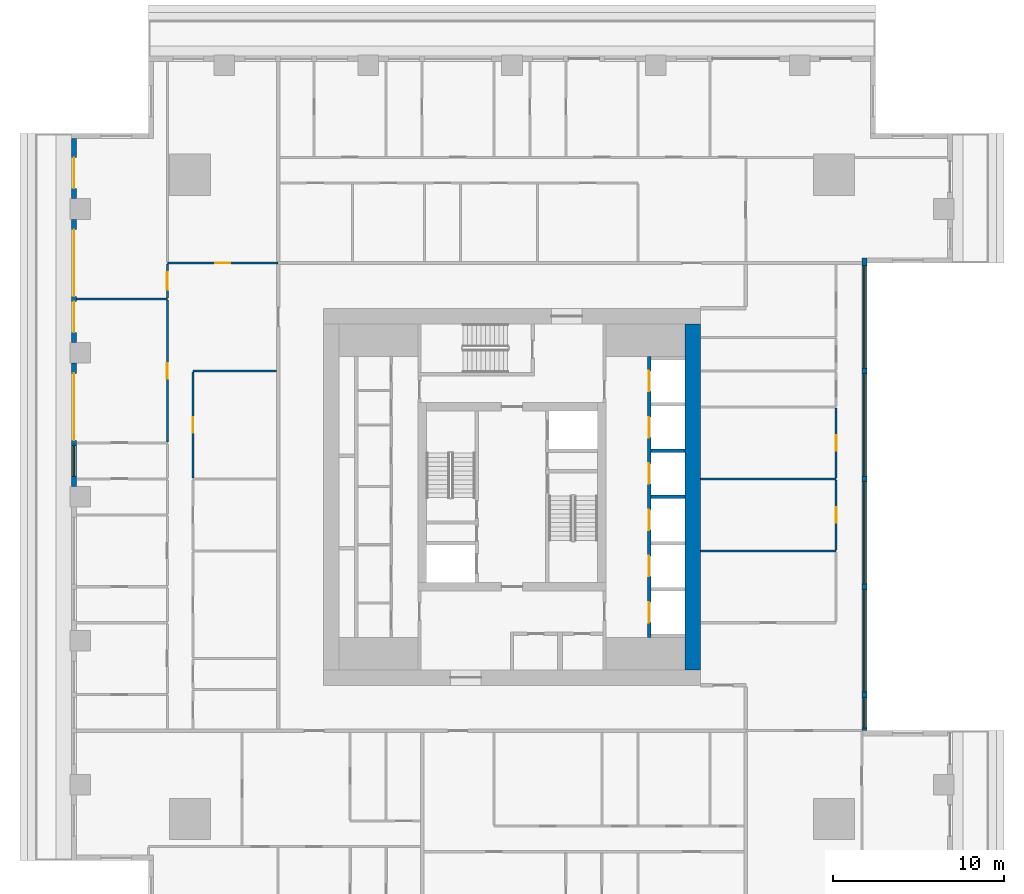
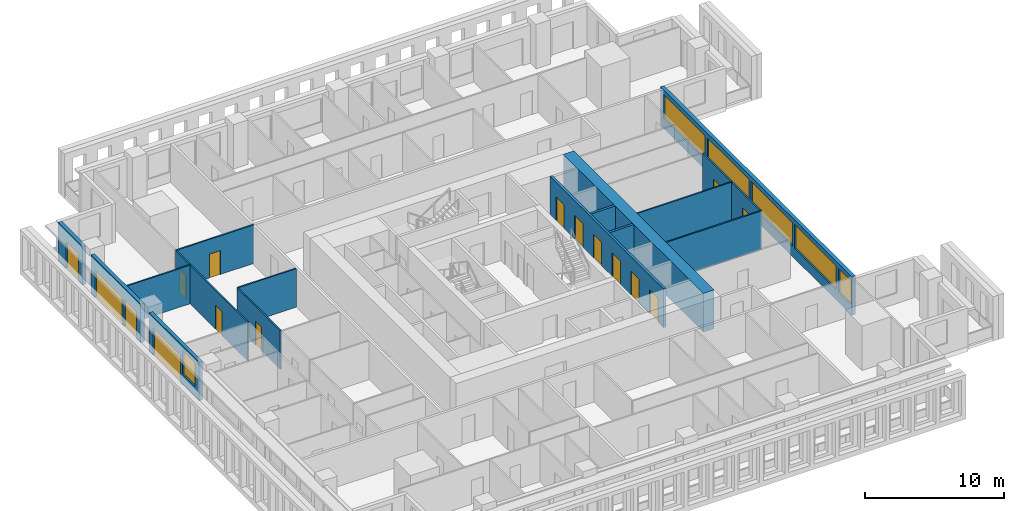
# One storey, part 6 of 15: 18 walls, 16 doors, 6 windows, 22 openings.
"""IFC4 building model written with IfcOpenShell, lengths in metres."""

from ifc_helpers import new_model, si_unit, direction, frame, frame_2d, origin, place, context, subcontext, project, spatial, rectangle, extrude, material, layer, layer_set, type_object, element, fill, save


model = new_model("IFC4")

# Units and contexts
model_context = context("Model", 3, precision=1e-05, world=origin(), true_north=direction((0.0, 1.0)))
body_context = subcontext(model_context, "Body", "Model", "MODEL_VIEW")
ifc_project = project(units=[si_unit("LENGTHUNIT", "METRE"), si_unit("AREAUNIT", "SQUARE_METRE"), si_unit("VOLUMEUNIT", "CUBIC_METRE"), si_unit("PLANEANGLEUNIT", "RADIAN"), si_unit("MASSUNIT", "GRAM", prefix="KILO")], contexts=[model_context])

# Site, building, storey
site_placement = place(None, origin())
site = spatial("IfcSite", under=ifc_project, at=site_placement, CompositionType="ELEMENT")
building_placement = place(site_placement, origin())
building = spatial("IfcBuilding", under=site, at=building_placement, Name="Khepri Terraces", CompositionType="ELEMENT")
storey_placement = place(building_placement, frame((0.0, 0.0, 231.300048828125)))
storey = spatial("IfcBuildingStorey", under=building, at=storey_placement, Name="L55", CompositionType="ELEMENT", Elevation=231.300048828125)

# Wall, openings, doors
ifc_material_1 = material(Name="Concrete C50/60", Category="concrete")
ifc_layer_1 = layer(ifc_material_1, 0.199951171875, Name="Concrete C50/60", Category="concrete")
ifc_layer_set_1 = layer_set([ifc_layer_1], Name="Concrete C50/60")
wall_type_1 = type_object("IfcWallType", Name="Core wall 200 C50/60", PredefinedType="SHEAR", material=ifc_layer_set_1)
wall_1_placement = place(storey_placement, frame((8.0, -8.199951171875, 0.0), z_axis=(0.0, 0.0, 1.0), x_axis=(0.0, 1.0, 0.0)))
wall_1 = element("IfcWall", 1, at=wall_1_placement, inside=storey, type_object=wall_type_1, Name="Core wall SH02 L55", PredefinedType="SHEAR", context=body_context, shape_type="SweptSolid", body=[
    extrude(rectangle(XDim=16.39990234375, YDim=0.199951171875, at=frame_2d((8.199951171875, 0.0))), origin(), (0.0, 0.0, 1.0), 3.39990234375),
])
opening_1_placement = place(wall_1_placement, frame((0.85009765625, 0.0, 0.0)))
opening_1 = element("IfcOpeningElement", 2, at=opening_1_placement, cuts=wall_1, Name="Opening L55-C01", PredefinedType="OPENING", context=body_context, shape_type="SweptSolid", body=[
    extrude(rectangle(XDim=1.199951171875, YDim=2.10009765625, at=frame_2d((0.60009765625, 1.050048828125))), frame((0.0, 0.10986328125, 0.0), z_axis=(0.0, -1.0, 0.0), x_axis=(1.0, 0.0, 0.0)), (0.0, 0.0, 1.0), 0.219970703125),
])
opening_2_placement = place(wall_1_placement, frame((3.550048828125, 0.0, 0.0)))
opening_2 = element("IfcOpeningElement", 3, at=opening_2_placement, cuts=wall_1, Name="Opening L55-C02", PredefinedType="OPENING", context=body_context, shape_type="SweptSolid", body=[
    extrude(rectangle(XDim=1.199951171875, YDim=2.10009765625, at=frame_2d((0.60009765625, 1.050048828125))), frame((0.0, 0.10986328125, 0.0), z_axis=(0.0, -1.0, 0.0), x_axis=(1.0, 0.0, 0.0)), (0.0, 0.0, 1.0), 0.219970703125),
])
opening_3_placement = place(wall_1_placement, frame((6.25, 0.0, 0.0)))
opening_3 = element("IfcOpeningElement", 4, at=opening_3_placement, cuts=wall_1, Name="Opening L55-C03", PredefinedType="OPENING", context=body_context, shape_type="SweptSolid", body=[
    extrude(rectangle(XDim=1.199951171875, YDim=2.10009765625, at=frame_2d((0.60009765625, 1.050048828125))), frame((0.0, 0.10986328125, 0.0), z_axis=(0.0, -1.0, 0.0), x_axis=(1.0, 0.0, 0.0)), (0.0, 0.0, 1.0), 0.219970703125),
])
opening_4_placement = place(wall_1_placement, frame((8.949951171875, 0.0, 0.0)))
opening_4 = element("IfcOpeningElement", 5, at=opening_4_placement, cuts=wall_1, Name="Opening L55-C04", PredefinedType="OPENING", context=body_context, shape_type="SweptSolid", body=[
    extrude(rectangle(XDim=1.199951171875, YDim=2.10009765625, at=frame_2d((0.60009765625, 1.050048828125))), frame((0.0, 0.10986328125, 0.0), z_axis=(0.0, -1.0, 0.0), x_axis=(1.0, 0.0, 0.0)), (0.0, 0.0, 1.0), 0.219970703125),
])
opening_5_placement = place(wall_1_placement, frame((11.64990234375, 0.0, 0.0)))
opening_5 = element("IfcOpeningElement", 6, at=opening_5_placement, cuts=wall_1, Name="Opening L55-C05", PredefinedType="OPENING", context=body_context, shape_type="SweptSolid", body=[
    extrude(rectangle(XDim=1.199951171875, YDim=2.10009765625, at=frame_2d((0.60009765625, 1.050048828125))), frame((0.0, 0.10986328125, 0.0), z_axis=(0.0, -1.0, 0.0), x_axis=(1.0, 0.0, 0.0)), (0.0, 0.0, 1.0), 0.219970703125),
])
opening_6_placement = place(wall_1_placement, frame((14.35009765625, 0.0, 0.0)))
opening_6 = element("IfcOpeningElement", 7, at=opening_6_placement, cuts=wall_1, Name="Opening L55-C06", PredefinedType="OPENING", context=body_context, shape_type="SweptSolid", body=[
    extrude(rectangle(XDim=1.199951171875, YDim=2.10009765625, at=frame_2d((0.60009765625, 1.050048828125))), frame((0.0, 0.10986328125, 0.0), z_axis=(0.0, -1.0, 0.0), x_axis=(1.0, 0.0, 0.0)), (0.0, 0.0, 1.0), 0.219970703125),
])
ifc_material_2 = material(Name="Stainless steel 304", Category="steel")
door_type_1 = type_object("IfcDoorType", Name="DR-CORE-LANDING-1200", OperationType="NOTDEFINED", PredefinedType="DOOR", material=ifc_material_2)
door_1_placement = place(opening_1_placement, origin())
door_1 = element("IfcDoor", 8, at=door_1_placement, inside=storey, type_object=door_type_1, Name="Lift landing door L55-C01", OperationType="SLIDING_TO_LEFT", OverallHeight=2.10009765625, OverallWidth=1.199951171875, PredefinedType="DOOR", context=body_context, shape_type="SweptSolid", body=[
    extrude(rectangle(XDim=1.199951171875, YDim=2.10009765625, at=frame_2d((0.60009765625, 1.050048828125))), frame((0.0, 0.02490234375, 0.0), z_axis=(0.0, -1.0, 0.0), x_axis=(1.0, 0.0, 0.0)), (0.0, 0.0, 1.0), 0.050048828125),
])
fill(opening_1, door_1)
door_2_placement = place(opening_2_placement, origin())
door_2 = element("IfcDoor", 9, at=door_2_placement, inside=storey, type_object=door_type_1, Name="Lift landing door L55-C02", OperationType="SLIDING_TO_LEFT", OverallHeight=2.10009765625, OverallWidth=1.199951171875, PredefinedType="DOOR", context=body_context, shape_type="SweptSolid", body=[
    extrude(rectangle(XDim=1.199951171875, YDim=2.10009765625, at=frame_2d((0.60009765625, 1.050048828125))), frame((0.0, 0.02490234375, 0.0), z_axis=(0.0, -1.0, 0.0), x_axis=(1.0, 0.0, 0.0)), (0.0, 0.0, 1.0), 0.050048828125),
])
fill(opening_2, door_2)
door_3_placement = place(opening_3_placement, origin())
door_3 = element("IfcDoor", 10, at=door_3_placement, inside=storey, type_object=door_type_1, Name="Lift landing door L55-C03", OperationType="SLIDING_TO_LEFT", OverallHeight=2.10009765625, OverallWidth=1.199951171875, PredefinedType="DOOR", context=body_context, shape_type="SweptSolid", body=[
    extrude(rectangle(XDim=1.199951171875, YDim=2.10009765625, at=frame_2d((0.60009765625, 1.050048828125))), frame((0.0, 0.02490234375, 0.0), z_axis=(0.0, -1.0, 0.0), x_axis=(1.0, 0.0, 0.0)), (0.0, 0.0, 1.0), 0.050048828125),
])
fill(opening_3, door_3)
door_4_placement = place(opening_4_placement, origin())
door_4 = element("IfcDoor", 11, at=door_4_placement, inside=storey, type_object=door_type_1, Name="Lift landing door L55-C04", OperationType="SLIDING_TO_LEFT", OverallHeight=2.10009765625, OverallWidth=1.199951171875, PredefinedType="DOOR", context=body_context, shape_type="SweptSolid", body=[
    extrude(rectangle(XDim=1.199951171875, YDim=2.10009765625, at=frame_2d((0.60009765625, 1.050048828125))), frame((0.0, 0.02490234375, 0.0), z_axis=(0.0, -1.0, 0.0), x_axis=(1.0, 0.0, 0.0)), (0.0, 0.0, 1.0), 0.050048828125),
])
fill(opening_4, door_4)
door_5_placement = place(opening_5_placement, origin())
door_5 = element("IfcDoor", 12, at=door_5_placement, inside=storey, type_object=door_type_1, Name="Lift landing door L55-C05", OperationType="SLIDING_TO_LEFT", OverallHeight=2.10009765625, OverallWidth=1.199951171875, PredefinedType="DOOR", context=body_context, shape_type="SweptSolid", body=[
    extrude(rectangle(XDim=1.199951171875, YDim=2.10009765625, at=frame_2d((0.60009765625, 1.050048828125))), frame((0.0, 0.02490234375, 0.0), z_axis=(0.0, -1.0, 0.0), x_axis=(1.0, 0.0, 0.0)), (0.0, 0.0, 1.0), 0.050048828125),
])
fill(opening_5, door_5)
door_6_placement = place(opening_6_placement, origin())
door_6 = element("IfcDoor", 13, at=door_6_placement, inside=storey, type_object=door_type_1, Name="Lift landing door L55-C06", OperationType="SLIDING_TO_LEFT", OverallHeight=2.10009765625, OverallWidth=1.199951171875, PredefinedType="DOOR", context=body_context, shape_type="SweptSolid", body=[
    extrude(rectangle(XDim=1.199951171875, YDim=2.10009765625, at=frame_2d((0.60009765625, 1.050048828125))), frame((0.0, 0.02490234375, 0.0), z_axis=(0.0, -1.0, 0.0), x_axis=(1.0, 0.0, 0.0)), (0.0, 0.0, 1.0), 0.050048828125),
])
fill(opening_6, door_6)

# Walls
for number, where, z_axis, x_axis, name in (
    (14, (8.10009765625, 0.0, 0.0), (0.0, 0.0, 1.0), (1.0, 0.0, 0.0), "Core wall SH09 L55"),
    (15, (8.10009765625, 2.699951171875, 0.0), (0.0, 0.0, 1.0), (1.0, 0.0, 0.0), "Core wall SH13 L55"),
):
    element("IfcWall", number, at=place(storey_placement, frame(where, z_axis=z_axis, x_axis=x_axis)), inside=storey, type_object=wall_type_1, Name=name, PredefinedType="SHEAR", context=body_context, shape_type="SweptSolid", body=[
        extrude(rectangle(XDim=2.0, YDim=0.199951171875, at=frame_2d((1.0, 0.0))), origin(), (0.0, 0.0, 1.0), 3.39990234375),
    ])
ifc_layer_2 = layer(ifc_material_1, 0.89990234375, Name="Concrete C50/60", Category="concrete")
ifc_layer_set_2 = layer_set([ifc_layer_2], Name="Concrete C50/60")
wall_type_2 = type_object("IfcWallType", Name="Core wall 900 C50/60", PredefinedType="SHEAR", material=ifc_layer_set_2)
wall_2_placement = place(storey_placement, frame((10.550048828125, -10.10009765625, 0.0), z_axis=(0.0, 0.0, 1.0), x_axis=(0.0, 1.0, 0.0)))
element("IfcWall", 16, at=wall_2_placement, inside=storey, type_object=wall_type_2, Name="Core wall OW-E L55", PredefinedType="SHEAR", context=body_context, shape_type="SweptSolid", body=[
    extrude(rectangle(XDim=20.2001953125, YDim=0.89990234375, at=frame_2d((10.10009765625, 0.0))), origin(), (0.0, 0.0, 1.0), 3.39990234375),
])

# Wall, openings, windows
ifc_material_3 = material(Name="Precast concrete C50/60 warm stone", Category="masonry")
ifc_layer_3 = layer(ifc_material_3, 0.300048828125, Name="Precast concrete C50/60 warm stone", Category="masonry")
ifc_layer_set_3 = layer_set([ifc_layer_3], Name="Precast concrete C50/60 warm stone")
wall_type_3 = type_object("IfcWallType", Name="WL-EXT-PRECAST-300", PredefinedType="STANDARD", material=ifc_layer_set_3)
wall_3_placement = place(storey_placement, frame((20.570068359375, -13.64990234375, 0.0), z_axis=(0.0, 0.0, 1.0), x_axis=(0.0, 1.0, 0.0)))
wall_3 = element("IfcWall", 17, at=wall_3_placement, inside=storey, type_object=wall_type_3, Name="External wall L55 E", PredefinedType="STANDARD", context=body_context, shape_type="SweptSolid", body=[
    extrude(rectangle(XDim=27.599853515625, YDim=0.300048828125, at=frame_2d((13.7998046875, 0.0))), origin(), (0.0, 0.0, 1.0), 3.39990234375),
])
opening_7_placement = place(wall_3_placement, frame((0.14990234375, 0.0, 0.89990234375)))
opening_7 = element("IfcOpeningElement", 18, at=opening_7_placement, cuts=wall_3, Name="Opening W1", PredefinedType="OPENING", context=body_context, shape_type="SweptSolid", body=[
    extrude(rectangle(XDim=1.800048828125, YDim=2.10009765625, at=frame_2d((0.89990234375, 1.050048828125))), frame((0.0, 0.16015625, 0.0), z_axis=(0.0, -1.0, 0.0), x_axis=(1.0, 0.0, 0.0)), (0.0, 0.0, 1.0), 0.320068359375),
])
opening_8_placement = place(wall_3_placement, frame((2.25, 0.0, 0.89990234375)))
opening_8 = element("IfcOpeningElement", 19, at=opening_8_placement, cuts=wall_3, Name="Opening W3", PredefinedType="OPENING", context=body_context, shape_type="SweptSolid", body=[
    extrude(rectangle(XDim=6.0, YDim=2.10009765625, at=frame_2d((3.0, 1.050048828125))), frame((0.0, 0.16015625, 0.0), z_axis=(0.0, -1.0, 0.0), x_axis=(1.0, 0.0, 0.0)), (0.0, 0.0, 1.0), 0.320068359375),
])
opening_9_placement = place(wall_3_placement, frame((8.550048828125, 0.0, 0.89990234375)))
opening_9 = element("IfcOpeningElement", 20, at=opening_9_placement, cuts=wall_3, Name="Opening W3", PredefinedType="OPENING", context=body_context, shape_type="SweptSolid", body=[
    extrude(rectangle(XDim=6.0, YDim=2.10009765625, at=frame_2d((3.0, 1.050048828125))), frame((0.0, 0.16015625, 0.0), z_axis=(0.0, -1.0, 0.0), x_axis=(1.0, 0.0, 0.0)), (0.0, 0.0, 1.0), 0.320068359375),
])
opening_10_placement = place(wall_3_placement, frame((14.85009765625, 0.0, 0.89990234375)))
opening_10 = element("IfcOpeningElement", 21, at=opening_10_placement, cuts=wall_3, Name="Opening W3", PredefinedType="OPENING", context=body_context, shape_type="SweptSolid", body=[
    extrude(rectangle(XDim=6.0, YDim=2.10009765625, at=frame_2d((3.0, 1.050048828125))), frame((0.0, 0.16015625, 0.0), z_axis=(0.0, -1.0, 0.0), x_axis=(1.0, 0.0, 0.0)), (0.0, 0.0, 1.0), 0.320068359375),
])
opening_11_placement = place(wall_3_placement, frame((21.14990234375, 0.0, 0.89990234375)))
opening_11 = element("IfcOpeningElement", 22, at=opening_11_placement, cuts=wall_3, Name="Opening W3", PredefinedType="OPENING", context=body_context, shape_type="SweptSolid", body=[
    extrude(rectangle(XDim=6.0, YDim=2.10009765625, at=frame_2d((3.0, 1.050048828125))), frame((0.0, 0.16015625, 0.0), z_axis=(0.0, -1.0, 0.0), x_axis=(1.0, 0.0, 0.0)), (0.0, 0.0, 1.0), 0.320068359375),
])
ifc_material_4 = material(Name="Clear glass", Category="glass")
window_type_1 = type_object("IfcWindowType", Name="WIN-RES-1800x2100", PartitioningType="SINGLE_PANEL", PredefinedType="WINDOW", material=ifc_material_4)
window_1_placement = place(opening_7_placement, origin())
window_1 = element("IfcWindow", 23, at=window_1_placement, inside=storey, type_object=window_type_1, Name="Window L55 E", OverallHeight=2.10009765625, OverallWidth=1.800048828125, PartitioningType="SINGLE_PANEL", PredefinedType="WINDOW", context=body_context, shape_type="SweptSolid", body=[
    extrude(rectangle(XDim=1.800048828125, YDim=2.10009765625, at=frame_2d((0.89990234375, 1.050048828125))), frame((0.0, 0.030029296875, 0.0), z_axis=(0.0, -1.0, 0.0), x_axis=(1.0, 0.0, 0.0)), (0.0, 0.0, 1.0), 0.06005859375),
])
fill(opening_7, window_1)
window_type_2 = type_object("IfcWindowType", Name="WIN-RES-6000x2100", PartitioningType="SINGLE_PANEL", PredefinedType="WINDOW", material=ifc_material_4)
window_2_placement = place(opening_8_placement, origin())
window_2 = element("IfcWindow", 24, at=window_2_placement, inside=storey, type_object=window_type_2, Name="Window L55 E", OverallHeight=2.10009765625, OverallWidth=6.0, PartitioningType="SINGLE_PANEL", PredefinedType="WINDOW", context=body_context, shape_type="SweptSolid", body=[
    extrude(rectangle(XDim=6.0, YDim=2.10009765625, at=frame_2d((3.0, 1.050048828125))), frame((0.0, 0.030029296875, 0.0), z_axis=(0.0, -1.0, 0.0), x_axis=(1.0, 0.0, 0.0)), (0.0, 0.0, 1.0), 0.06005859375),
])
fill(opening_8, window_2)
window_3_placement = place(opening_9_placement, origin())
window_3 = element("IfcWindow", 25, at=window_3_placement, inside=storey, type_object=window_type_2, Name="Window L55 E", OverallHeight=2.10009765625, OverallWidth=6.0, PartitioningType="SINGLE_PANEL", PredefinedType="WINDOW", context=body_context, shape_type="SweptSolid", body=[
    extrude(rectangle(XDim=6.0, YDim=2.10009765625, at=frame_2d((3.0, 1.050048828125))), frame((0.0, 0.030029296875, 0.0), z_axis=(0.0, -1.0, 0.0), x_axis=(1.0, 0.0, 0.0)), (0.0, 0.0, 1.0), 0.06005859375),
])
fill(opening_9, window_3)
window_4_placement = place(opening_10_placement, origin())
window_4 = element("IfcWindow", 26, at=window_4_placement, inside=storey, type_object=window_type_2, Name="Window L55 E", OverallHeight=2.10009765625, OverallWidth=6.0, PartitioningType="SINGLE_PANEL", PredefinedType="WINDOW", context=body_context, shape_type="SweptSolid", body=[
    extrude(rectangle(XDim=6.0, YDim=2.10009765625, at=frame_2d((3.0, 1.050048828125))), frame((0.0, 0.030029296875, 0.0), z_axis=(0.0, -1.0, 0.0), x_axis=(1.0, 0.0, 0.0)), (0.0, 0.0, 1.0), 0.06005859375),
])
fill(opening_10, window_4)
window_5_placement = place(opening_11_placement, origin())
window_5 = element("IfcWindow", 27, at=window_5_placement, inside=storey, type_object=window_type_2, Name="Window L55 E", OverallHeight=2.10009765625, OverallWidth=6.0, PartitioningType="SINGLE_PANEL", PredefinedType="WINDOW", context=body_context, shape_type="SweptSolid", body=[
    extrude(rectangle(XDim=6.0, YDim=2.10009765625, at=frame_2d((3.0, 1.050048828125))), frame((0.0, 0.030029296875, 0.0), z_axis=(0.0, -1.0, 0.0), x_axis=(1.0, 0.0, 0.0)), (0.0, 0.0, 1.0), 0.06005859375),
])
fill(opening_11, window_5)

# Wall, opening, door
wall_4_placement = place(storey_placement, frame((-25.570068359375, 20.919921875, 0.0), z_axis=(0.0, 0.0, 1.0), x_axis=(0.0, -1.0, 0.0)))
wall_4 = element("IfcWall", 28, at=wall_4_placement, inside=storey, type_object=wall_type_3, Name="External wall L55 W", PredefinedType="STANDARD", context=body_context, shape_type="SweptSolid", body=[
    extrude(rectangle(XDim=3.52001953125, YDim=0.300048828125, at=frame_2d((1.760009765625, 0.0))), origin(), (0.0, 0.0, 1.0), 3.39990234375),
])
opening_12_placement = place(wall_4_placement, frame((1.1201171875, 0.0, 0.0)))
opening_12 = element("IfcOpeningElement", 29, at=opening_12_placement, cuts=wall_4, Name="Opening ED-L55-07", PredefinedType="OPENING", context=body_context, shape_type="SweptSolid", body=[
    extrude(rectangle(XDim=1.800048828125, YDim=2.39990234375, at=frame_2d((0.89990234375, 1.199951171875))), frame((0.0, 0.16015625, 0.0), z_axis=(0.0, -1.0, 0.0), x_axis=(1.0, 0.0, 0.0)), (0.0, 0.0, 1.0), 0.320068359375),
])
ifc_material_5 = material(Name="Anodised aluminium bronze glazed door", Category="aluminium")
door_type_2 = type_object("IfcDoorType", Name="DR-BAL-SLIDE-1800x2400", OperationType="NOTDEFINED", PredefinedType="DOOR", material=ifc_material_5)
door_7_placement = place(opening_12_placement, origin())
door_7 = element("IfcDoor", 30, at=door_7_placement, inside=storey, type_object=door_type_2, Name="Balcony door L55 W", OperationType="SLIDING_TO_RIGHT", OverallHeight=2.39990234375, OverallWidth=1.800048828125, PredefinedType="DOOR", context=body_context, shape_type="SweptSolid", body=[
    extrude(rectangle(XDim=1.800048828125, YDim=2.39990234375, at=frame_2d((0.89990234375, 1.199951171875))), frame((0.0, 0.02490234375, 0.0), z_axis=(0.0, -1.0, 0.0), x_axis=(1.0, 0.0, 0.0)), (0.0, 0.0, 1.0), 0.050048828125),
])
fill(opening_12, door_7)

# Wall, openings, doors
wall_5_placement = place(storey_placement, frame((-25.570068359375, 16.199951171875, 0.0), z_axis=(0.0, 0.0, 1.0), x_axis=(0.0, -1.0, 0.0)))
wall_5 = element("IfcWall", 31, at=wall_5_placement, inside=storey, type_object=wall_type_3, Name="External wall L55 W", PredefinedType="STANDARD", context=body_context, shape_type="SweptSolid", body=[
    extrude(rectangle(XDim=7.199951171875, YDim=0.300048828125, at=frame_2d((3.60009765625, 0.0))), origin(), (0.0, 0.0, 1.0), 3.39990234375),
])
opening_13_placement = place(wall_5_placement, frame((0.60009765625, 0.0, 0.0)))
opening_13 = element("IfcOpeningElement", 32, at=opening_13_placement, cuts=wall_5, Name="Opening ED-L55-08", PredefinedType="OPENING", context=body_context, shape_type="SweptSolid", body=[
    extrude(rectangle(XDim=3.89990234375, YDim=2.39990234375, at=frame_2d((1.949951171875, 1.199951171875))), frame((0.0, 0.16015625, 0.0), z_axis=(0.0, -1.0, 0.0), x_axis=(1.0, 0.0, 0.0)), (0.0, 0.0, 1.0), 0.320068359375),
])
opening_14_placement = place(wall_5_placement, frame((4.800048828125, 0.0, 0.0)))
opening_14 = element("IfcOpeningElement", 33, at=opening_14_placement, cuts=wall_5, Name="Opening ED-L55-09", PredefinedType="OPENING", context=body_context, shape_type="SweptSolid", body=[
    extrude(rectangle(XDim=1.800048828125, YDim=2.39990234375, at=frame_2d((0.89990234375, 1.199951171875))), frame((0.0, 0.16015625, 0.0), z_axis=(0.0, -1.0, 0.0), x_axis=(1.0, 0.0, 0.0)), (0.0, 0.0, 1.0), 0.320068359375),
])
door_8_placement = place(opening_14_placement, origin())
door_8 = element("IfcDoor", 34, at=door_8_placement, inside=storey, type_object=door_type_2, Name="Balcony door L55 W", OperationType="SLIDING_TO_RIGHT", OverallHeight=2.39990234375, OverallWidth=1.800048828125, PredefinedType="DOOR", context=body_context, shape_type="SweptSolid", body=[
    extrude(rectangle(XDim=1.800048828125, YDim=2.39990234375, at=frame_2d((0.89990234375, 1.199951171875))), frame((0.0, 0.02490234375, 0.0), z_axis=(0.0, -1.0, 0.0), x_axis=(1.0, 0.0, 0.0)), (0.0, 0.0, 1.0), 0.050048828125),
])
fill(opening_14, door_8)
door_type_3 = type_object("IfcDoorType", Name="DR-BAL-SLIDE-3900x2400", OperationType="NOTDEFINED", PredefinedType="DOOR", material=ifc_material_5)
door_9_placement = place(opening_13_placement, origin())
door_9 = element("IfcDoor", 35, at=door_9_placement, inside=storey, type_object=door_type_3, Name="Balcony door L55 W", OperationType="SLIDING_TO_LEFT", OverallHeight=2.39990234375, OverallWidth=3.89990234375, PredefinedType="DOOR", context=body_context, shape_type="SweptSolid", body=[
    extrude(rectangle(XDim=3.89990234375, YDim=2.39990234375, at=frame_2d((1.949951171875, 1.199951171875))), frame((0.0, 0.02490234375, 0.0), z_axis=(0.0, -1.0, 0.0), x_axis=(1.0, 0.0, 0.0)), (0.0, 0.0, 1.0), 0.050048828125),
])
fill(opening_13, door_9)

# Wall, openings, door, window
wall_6_placement = place(storey_placement, frame((-25.570068359375, 7.800048828125, 0.0), z_axis=(0.0, 0.0, 1.0), x_axis=(0.0, -1.0, 0.0)))
wall_6 = element("IfcWall", 36, at=wall_6_placement, inside=storey, type_object=wall_type_3, Name="External wall L55 W", PredefinedType="STANDARD", context=body_context, shape_type="SweptSolid", body=[
    extrude(rectangle(XDim=7.199951171875, YDim=0.300048828125, at=frame_2d((3.60009765625, 0.0))), origin(), (0.0, 0.0, 1.0), 3.39990234375),
])
opening_15_placement = place(wall_6_placement, frame((0.60009765625, 0.0, 0.0)))
opening_15 = element("IfcOpeningElement", 37, at=opening_15_placement, cuts=wall_6, Name="Opening ED-L55-10", PredefinedType="OPENING", context=body_context, shape_type="SweptSolid", body=[
    extrude(rectangle(XDim=3.89990234375, YDim=2.39990234375, at=frame_2d((1.949951171875, 1.199951171875))), frame((0.0, 0.16015625, 0.0), z_axis=(0.0, -1.0, 0.0), x_axis=(1.0, 0.0, 0.0)), (0.0, 0.0, 1.0), 0.320068359375),
])
opening_16_placement = place(wall_6_placement, frame((4.800048828125, 0.0, 0.89990234375)))
opening_16 = element("IfcOpeningElement", 38, at=opening_16_placement, cuts=wall_6, Name="Opening W1", PredefinedType="OPENING", context=body_context, shape_type="SweptSolid", body=[
    extrude(rectangle(XDim=1.800048828125, YDim=2.10009765625, at=frame_2d((0.89990234375, 1.050048828125))), frame((0.0, 0.16015625, 0.0), z_axis=(0.0, -1.0, 0.0), x_axis=(1.0, 0.0, 0.0)), (0.0, 0.0, 1.0), 0.320068359375),
])
door_10_placement = place(opening_15_placement, origin())
door_10 = element("IfcDoor", 39, at=door_10_placement, inside=storey, type_object=door_type_3, Name="Balcony door L55 W", OperationType="SLIDING_TO_LEFT", OverallHeight=2.39990234375, OverallWidth=3.89990234375, PredefinedType="DOOR", context=body_context, shape_type="SweptSolid", body=[
    extrude(rectangle(XDim=3.89990234375, YDim=2.39990234375, at=frame_2d((1.949951171875, 1.199951171875))), frame((0.0, 0.02490234375, 0.0), z_axis=(0.0, -1.0, 0.0), x_axis=(1.0, 0.0, 0.0)), (0.0, 0.0, 1.0), 0.050048828125),
])
fill(opening_15, door_10)
window_6_placement = place(opening_16_placement, origin())
window_6 = element("IfcWindow", 40, at=window_6_placement, inside=storey, type_object=window_type_1, Name="Window L55 W", OverallHeight=2.10009765625, OverallWidth=1.800048828125, PartitioningType="SINGLE_PANEL", PredefinedType="WINDOW", context=body_context, shape_type="SweptSolid", body=[
    extrude(rectangle(XDim=1.800048828125, YDim=2.10009765625, at=frame_2d((0.89990234375, 1.050048828125))), frame((0.0, 0.030029296875, 0.0), z_axis=(0.0, -1.0, 0.0), x_axis=(1.0, 0.0, 0.0)), (0.0, 0.0, 1.0), 0.06005859375),
])
fill(opening_16, window_6)

# Wall
ifc_material_6 = material(Name="Gypsum plasterboard partition")
ifc_layer_4 = layer(ifc_material_6, 0.1201171875, Name="Gypsum plasterboard partition")
ifc_layer_set_4 = layer_set([ifc_layer_4], Name="Gypsum plasterboard partition")
wall_type_4 = type_object("IfcWallType", Name="WL-PART-120", PredefinedType="PARTITIONING", material=ifc_layer_set_4)
wall_7_placement = place(storey_placement, frame((11.0, -3.14990234375, 0.0), z_axis=(0.0, 0.0, 1.0), x_axis=(1.0, 0.0, 0.0)))
element("IfcWall", 41, at=wall_7_placement, inside=storey, type_object=wall_type_4, Name="Partition P-044 L55", PredefinedType="PARTITIONING", context=body_context, shape_type="SweptSolid", body=[
    extrude(rectangle(XDim=7.919921875, YDim=0.1201171875, at=frame_2d((3.9599609375, 0.0))), origin(), (0.0, 0.0, 1.0), 3.39990234375),
])

# Wall, opening, door
wall_8_placement = place(storey_placement, frame((18.919921875, -3.090087890625, 0.0), z_axis=(0.0, 0.0, 1.0), x_axis=(0.0, 1.0, 0.0)))
wall_8 = element("IfcWall", 42, at=wall_8_placement, inside=storey, type_object=wall_type_4, Name="Partition P-046 L55", PredefinedType="PARTITIONING", context=body_context, shape_type="SweptSolid", body=[
    extrude(rectangle(XDim=4.080078125, YDim=0.1201171875, at=frame_2d((2.0400390625, 0.0))), origin(), (0.0, 0.0, 1.0), 3.39990234375),
])
opening_17_placement = place(wall_8_placement, frame((1.590087890625, 0.0, 0.0)))
opening_17 = element("IfcOpeningElement", 43, at=opening_17_placement, cuts=wall_8, Name="Opening D3", PredefinedType="OPENING", context=body_context, shape_type="SweptSolid", body=[
    extrude(rectangle(XDim=0.89990234375, YDim=2.10009765625, at=frame_2d((0.449951171875, 1.050048828125))), frame((0.0, 0.070068359375, 0.0), z_axis=(0.0, -1.0, 0.0), x_axis=(1.0, 0.0, 0.0)), (0.0, 0.0, 1.0), 0.14013671875),
])
ifc_material_7 = material(Name="Timber door leaf", Category="wood")
door_type_4 = type_object("IfcDoorType", Name="DR-INT-900", OperationType="NOTDEFINED", PredefinedType="DOOR", material=ifc_material_7)
door_11_placement = place(opening_17_placement, origin())
door_11 = element("IfcDoor", 44, at=door_11_placement, inside=storey, type_object=door_type_4, Name="Door Service Store", OperationType="SINGLE_SWING_RIGHT", OverallHeight=2.10009765625, OverallWidth=0.89990234375, PredefinedType="DOOR", context=body_context, shape_type="SweptSolid", body=[
    extrude(rectangle(XDim=0.89990234375, YDim=2.10009765625, at=frame_2d((0.449951171875, 1.050048828125))), frame((0.0, 0.02490234375, 0.0), z_axis=(0.0, -1.0, 0.0), x_axis=(1.0, 0.0, 0.0)), (0.0, 0.0, 1.0), 0.050048828125),
])
fill(opening_17, door_11)

# Wall
wall_9_placement = place(storey_placement, frame((11.0, 1.050048828125, 0.0), z_axis=(0.0, 0.0, 1.0), x_axis=(1.0, 0.0, 0.0)))
element("IfcWall", 45, at=wall_9_placement, inside=storey, type_object=wall_type_4, Name="Partition P-051 L55", PredefinedType="PARTITIONING", context=body_context, shape_type="SweptSolid", body=[
    extrude(rectangle(XDim=7.919921875, YDim=0.1201171875, at=frame_2d((3.9599609375, 0.0))), origin(), (0.0, 0.0, 1.0), 3.39990234375),
])

# Wall, opening, door
wall_10_placement = place(storey_placement, frame((-18.6201171875, 1.110107421875, 0.0), z_axis=(0.0, 0.0, 1.0), x_axis=(0.0, 1.0, 0.0)))
wall_10 = element("IfcWall", 46, at=wall_10_placement, inside=storey, type_object=wall_type_4, Name="Partition P-053 L55", PredefinedType="PARTITIONING", context=body_context, shape_type="SweptSolid", body=[
    extrude(rectangle(XDim=6.179931640625, YDim=0.1201171875, at=frame_2d((3.08984375, 0.0))), origin(), (0.0, 0.0, 1.0), 3.39990234375),
])
opening_18_placement = place(wall_10_placement, frame((2.639892578125, 0.0, 0.0)))
opening_18 = element("IfcOpeningElement", 47, at=opening_18_placement, cuts=wall_10, Name="Opening D3", PredefinedType="OPENING", context=body_context, shape_type="SweptSolid", body=[
    extrude(rectangle(XDim=0.89990234375, YDim=2.10009765625, at=frame_2d((0.449951171875, 1.050048828125))), frame((0.0, 0.070068359375, 0.0), z_axis=(0.0, -1.0, 0.0), x_axis=(1.0, 0.0, 0.0)), (0.0, 0.0, 1.0), 0.14013671875),
])
door_12_placement = place(opening_18_placement, frame((0.89990234375, 0.0, 0.0), z_axis=(0.0, 0.0, 1.0), x_axis=(-1.0, 0.0, 0.0)))
door_12 = element("IfcDoor", 48, at=door_12_placement, inside=storey, type_object=door_type_4, Name="Door Kitchen", OperationType="SINGLE_SWING_LEFT", OverallHeight=2.10009765625, OverallWidth=0.89990234375, PredefinedType="DOOR", context=body_context, shape_type="SweptSolid", body=[
    extrude(rectangle(XDim=0.89990234375, YDim=2.10009765625, at=frame_2d((0.449951171875, 1.050048828125))), frame((0.0, 0.02490234375, 0.0), z_axis=(0.0, -1.0, 0.0), x_axis=(1.0, 0.0, 0.0)), (0.0, 0.0, 1.0), 0.050048828125),
])
fill(opening_18, door_12)

wall_11_placement = place(storey_placement, frame((18.919921875, 1.110107421875, 0.0), z_axis=(0.0, 0.0, 1.0), x_axis=(0.0, 1.0, 0.0)))
wall_11 = element("IfcWall", 49, at=wall_11_placement, inside=storey, type_object=wall_type_4, Name="Partition P-054 L55", PredefinedType="PARTITIONING", context=body_context, shape_type="SweptSolid", body=[
    extrude(rectangle(XDim=4.079833984375, YDim=0.1201171875, at=frame_2d((2.0400390625, 0.0))), origin(), (0.0, 0.0, 1.0), 3.39990234375),
])
opening_19_placement = place(wall_11_placement, frame((1.590087890625, 0.0, 0.0)))
opening_19 = element("IfcOpeningElement", 50, at=opening_19_placement, cuts=wall_11, Name="Opening D3", PredefinedType="OPENING", context=body_context, shape_type="SweptSolid", body=[
    extrude(rectangle(XDim=0.89990234375, YDim=2.10009765625, at=frame_2d((0.449951171875, 1.050048828125))), frame((0.0, 0.070068359375, 0.0), z_axis=(0.0, -1.0, 0.0), x_axis=(1.0, 0.0, 0.0)), (0.0, 0.0, 1.0), 0.14013671875),
])
door_13_placement = place(opening_19_placement, origin())
door_13 = element("IfcDoor", 51, at=door_13_placement, inside=storey, type_object=door_type_4, Name="Door Utility Room", OperationType="SINGLE_SWING_RIGHT", OverallHeight=2.10009765625, OverallWidth=0.89990234375, PredefinedType="DOOR", context=body_context, shape_type="SweptSolid", body=[
    extrude(rectangle(XDim=0.89990234375, YDim=2.10009765625, at=frame_2d((0.449951171875, 1.050048828125))), frame((0.0, 0.02490234375, 0.0), z_axis=(0.0, -1.0, 0.0), x_axis=(1.0, 0.0, 0.0)), (0.0, 0.0, 1.0), 0.050048828125),
])
fill(opening_19, door_13)

wall_12_placement = place(storey_placement, frame((-20.1201171875, 3.2099609375, 0.0), z_axis=(0.0, 0.0, 1.0), x_axis=(0.0, 1.0, 0.0)))
wall_12 = element("IfcWall", 52, at=wall_12_placement, inside=storey, type_object=wall_type_4, Name="Partition P-056 L55", PredefinedType="PARTITIONING", context=body_context, shape_type="SweptSolid", body=[
    extrude(rectangle(XDim=8.280029296875, YDim=0.1201171875, at=frame_2d((4.14013671875, 0.0))), origin(), (0.0, 0.0, 1.0), 3.39990234375),
])
opening_20_placement = place(wall_12_placement, frame((3.68994140625, 0.0, 0.0)))
opening_20 = element("IfcOpeningElement", 53, at=opening_20_placement, cuts=wall_12, Name="Opening D3", PredefinedType="OPENING", context=body_context, shape_type="SweptSolid", body=[
    extrude(rectangle(XDim=0.89990234375, YDim=2.10009765625, at=frame_2d((0.449951171875, 1.050048828125))), frame((0.0, 0.070068359375, 0.0), z_axis=(0.0, -1.0, 0.0), x_axis=(1.0, 0.0, 0.0)), (0.0, 0.0, 1.0), 0.14013671875),
])
door_14_placement = place(opening_20_placement, origin())
door_14 = element("IfcDoor", 54, at=door_14_placement, inside=storey, type_object=door_type_4, Name="Door Master Bedroom", OperationType="SINGLE_SWING_RIGHT", OverallHeight=2.10009765625, OverallWidth=0.89990234375, PredefinedType="DOOR", context=body_context, shape_type="SweptSolid", body=[
    extrude(rectangle(XDim=0.89990234375, YDim=2.10009765625, at=frame_2d((0.449951171875, 1.050048828125))), frame((0.0, 0.02490234375, 0.0), z_axis=(0.0, -1.0, 0.0), x_axis=(1.0, 0.0, 0.0)), (0.0, 0.0, 1.0), 0.050048828125),
])
fill(opening_20, door_14)

# Walls
wall_13_placement = place(storey_placement, frame((-18.6201171875, 7.35009765625, 0.0), z_axis=(0.0, 0.0, 1.0), x_axis=(1.0, 0.0, 0.0)))
element("IfcWall", 55, at=wall_13_placement, inside=storey, type_object=wall_type_4, Name="Partition P-059 L55", PredefinedType="PARTITIONING", context=body_context, shape_type="SweptSolid", body=[
    extrude(rectangle(XDim=4.8701171875, YDim=0.1201171875, at=frame_2d((2.43505859375, 0.0))), origin(), (0.0, 0.0, 1.0), 3.39990234375),
])
wall_14_placement = place(storey_placement, frame((-25.419921875, 11.550048828125, 0.0), z_axis=(0.0, 0.0, 1.0), x_axis=(1.0, 0.0, 0.0)))
element("IfcWall", 56, at=wall_14_placement, inside=storey, type_object=wall_type_4, Name="Partition P-066 L55", PredefinedType="PARTITIONING", context=body_context, shape_type="SweptSolid", body=[
    extrude(rectangle(XDim=5.2998046875, YDim=0.1201171875, at=frame_2d((2.64990234375, 0.0))), origin(), (0.0, 0.0, 1.0), 3.39990234375),
])

# Wall, opening, door
wall_15_placement = place(storey_placement, frame((-20.1201171875, 11.610107421875, 0.0), z_axis=(0.0, 0.0, 1.0), x_axis=(0.0, 1.0, 0.0)))
wall_15 = element("IfcWall", 57, at=wall_15_placement, inside=storey, type_object=wall_type_4, Name="Partition P-067 L55", PredefinedType="PARTITIONING", context=body_context, shape_type="SweptSolid", body=[
    extrude(rectangle(XDim=1.97998046875, YDim=0.1201171875, at=frame_2d((0.989990234375, 0.0))), origin(), (0.0, 0.0, 1.0), 3.39990234375),
])
opening_21_placement = place(wall_15_placement, frame((0.489990234375, 0.0, 0.0)))
opening_21 = element("IfcOpeningElement", 58, at=opening_21_placement, cuts=wall_15, Name="Opening D2", PredefinedType="OPENING", context=body_context, shape_type="SweptSolid", body=[
    extrude(rectangle(XDim=1.0, YDim=2.10009765625, at=frame_2d((0.5, 1.050048828125))), frame((0.0, 0.070068359375, 0.0), z_axis=(0.0, -1.0, 0.0), x_axis=(1.0, 0.0, 0.0)), (0.0, 0.0, 1.0), 0.14013671875),
])
ifc_material_8 = material(Name="Timber door leaf, living room door", Category="wood")
door_type_5 = type_object("IfcDoorType", Name="DR-INT-1000", OperationType="NOTDEFINED", PredefinedType="DOOR", material=ifc_material_8)
door_15_placement = place(opening_21_placement, origin())
door_15 = element("IfcDoor", 59, at=door_15_placement, inside=storey, type_object=door_type_5, Name="Door Living Room", OperationType="SINGLE_SWING_RIGHT", OverallHeight=2.10009765625, OverallWidth=1.0, PredefinedType="DOOR", context=body_context, shape_type="SweptSolid", body=[
    extrude(rectangle(XDim=1.0, YDim=2.10009765625, at=frame_2d((0.5, 1.050048828125))), frame((0.0, 0.02490234375, 0.0), z_axis=(0.0, -1.0, 0.0), x_axis=(1.0, 0.0, 0.0)), (0.0, 0.0, 1.0), 0.050048828125),
])
fill(opening_21, door_15)

wall_16_placement = place(storey_placement, frame((-20.1201171875, 13.64990234375, 0.0), z_axis=(0.0, 0.0, 1.0), x_axis=(1.0, 0.0, 0.0)))
wall_16 = element("IfcWall", 60, at=wall_16_placement, inside=storey, type_object=wall_type_4, Name="Partition P-068 L55", PredefinedType="PARTITIONING", context=body_context, shape_type="SweptSolid", body=[
    extrude(rectangle(XDim=6.47021484375, YDim=0.1201171875, at=frame_2d((3.235107421875, 0.0))), origin(), (0.0, 0.0, 1.0), 3.39990234375),
])
opening_22_placement = place(wall_16_placement, frame((2.784912109375, 0.0, 0.0)))
opening_22 = element("IfcOpeningElement", 61, at=opening_22_placement, cuts=wall_16, Name="Opening D3", PredefinedType="OPENING", context=body_context, shape_type="SweptSolid", body=[
    extrude(rectangle(XDim=0.89990234375, YDim=2.10009765625, at=frame_2d((0.449951171875, 1.050048828125))), frame((0.0, 0.070068359375, 0.0), z_axis=(0.0, -1.0, 0.0), x_axis=(1.0, 0.0, 0.0)), (0.0, 0.0, 1.0), 0.14013671875),
])
door_16_placement = place(opening_22_placement, origin())
door_16 = element("IfcDoor", 62, at=door_16_placement, inside=storey, type_object=door_type_4, Name="Door Home Cinema", OperationType="SINGLE_SWING_LEFT", OverallHeight=2.10009765625, OverallWidth=0.89990234375, PredefinedType="DOOR", context=body_context, shape_type="SweptSolid", body=[
    extrude(rectangle(XDim=0.89990234375, YDim=2.10009765625, at=frame_2d((0.449951171875, 1.050048828125))), frame((0.0, 0.02490234375, 0.0), z_axis=(0.0, -1.0, 0.0), x_axis=(1.0, 0.0, 0.0)), (0.0, 0.0, 1.0), 0.050048828125),
])
fill(opening_22, door_16)

save(model, "model.ifc")
